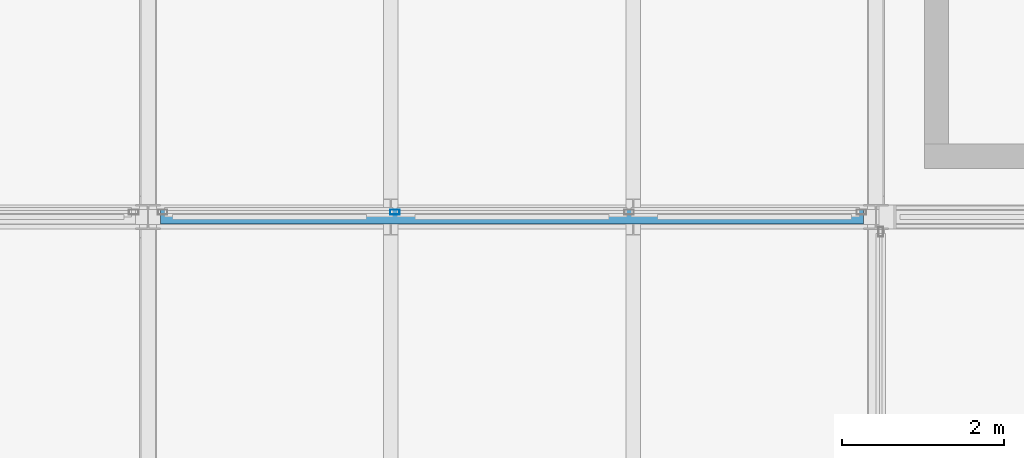
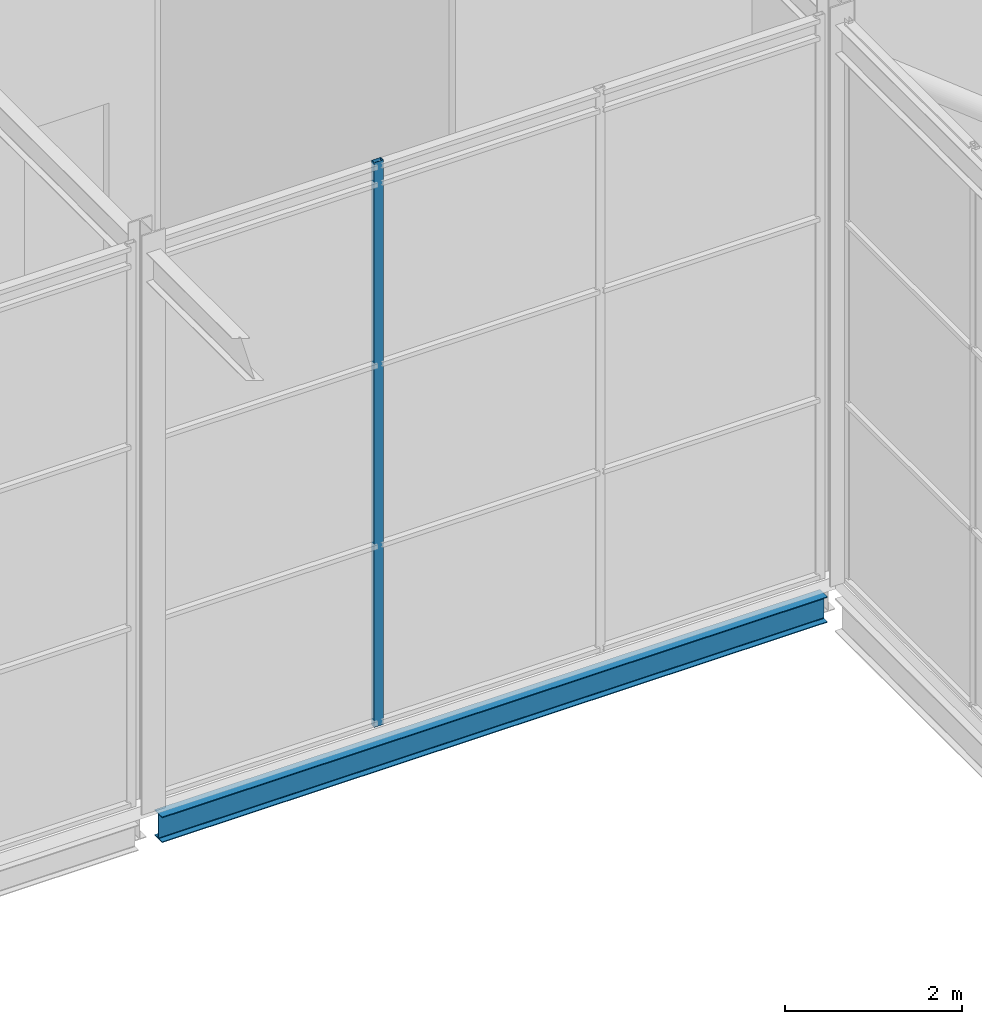
# One storey, part 88 of 144: 1 beam, 1 member, 1 element without a shape of its own.
"""IFC4 building model written with IfcOpenShell, lengths in metres."""

from ifc_helpers import new_model, si_unit, direction, frame, origin, origin_2d, place, context, subcontext, project, spatial, hollow_rectangle, i_section, extrude, material, layer, layer_set, material_profile, profile_set, type_object, element, aggregate, save


model = new_model("IFC4")

# Units and contexts
model_context = context("Model", 3, precision=1e-05, world=origin(), true_north=direction((0.0, 1.0)))
body_context = subcontext(model_context, "Body", "Model", "MODEL_VIEW")
ifc_project = project(units=[si_unit("LENGTHUNIT", "METRE"), si_unit("AREAUNIT", "SQUARE_METRE"), si_unit("VOLUMEUNIT", "CUBIC_METRE"), si_unit("PLANEANGLEUNIT", "RADIAN"), si_unit("MASSUNIT", "GRAM", prefix="KILO")], contexts=[model_context])

# Site, building, storey
site_placement = place(None, origin())
site = spatial("IfcSite", under=ifc_project, at=site_placement, CompositionType="ELEMENT")
building_placement = place(site_placement, origin())
building = spatial("IfcBuilding", under=site, at=building_placement, Name="Shorebreak Coast Museum", CompositionType="ELEMENT")
storey_placement = place(building_placement, frame((0.0, 0.0, 36.0)))
storey = spatial("IfcBuildingStorey", under=building, at=storey_placement, Name="L06", CompositionType="ELEMENT", Elevation=36.0)

# Beam
ifc_material_1 = material(Name="Steel Grade 300", Category="steel")
ifc_material_profile_1 = material_profile(ifc_material_1, i_section(OverallWidth=0.1708984375, OverallDepth=0.355712890625, WebThickness=0.00732421875, FlangeThickness=0.011474609375, FilletRadius=0.011474609375, at=origin_2d()), Name="360UB50.7")
ifc_profile_set_1 = profile_set([ifc_material_profile_1], Name="Steel Grade 300")
beam_type = type_object("IfcBeamType", Name="Floor girder east-west 360UB50.7", PredefinedType="BEAM", material=ifc_profile_set_1)
beam_placement = place(storey_placement, frame((99.153564453125, 81.0, -0.352783203125), z_axis=(1.0, 0.0, 0.0), x_axis=(0.0, 1.0, 0.0)))
element("IfcBeam", 1, at=beam_placement, inside=storey, type_object=beam_type, Name="Floor girder east-west L06 12K", PredefinedType="BEAM", context=body_context, shape_type="SweptSolid", body=[
    extrude(i_section(OverallWidth=0.1708984375, OverallDepth=0.355712890625, WebThickness=0.00732421875, FlangeThickness=0.011474609375, FilletRadius=0.011474609375, at=origin_2d()), origin(), (0.0, 0.0, 1.0), 8.69287109375),
])

# Curtain wall, member
ifc_material_2 = material(Name="Aluminium", Category="aluminium")
ifc_layer = layer(ifc_material_2, 0.1201171875)
ifc_layer_set = layer_set([ifc_layer], Name="Aluminium")
curtain_wall_type = type_object("IfcCurtainWallType", Name="Atrium fire screen", PredefinedType="NOTDEFINED", material=ifc_layer_set)
curtain_wall_placement = place(storey_placement, origin())
curtain_wall = element("IfcCurtainWall", 2, at=curtain_wall_placement, inside=storey, type_object=curtain_wall_type, Name="Atrium screen L06 N 88", PredefinedType="NOTDEFINED")
ifc_material_3 = material(Name="Aluminium", Category="aluminium")
ifc_material_profile_2 = material_profile(ifc_material_3, hollow_rectangle(XDim=0.06005859375, YDim=0.1201171875, WallThickness=0.00341796875, at=origin_2d()), Name="AL 120x60 RHS")
ifc_profile_set_2 = profile_set([ifc_material_profile_2], Name="Aluminium")
member_type = type_object("IfcMemberType", Name="Screen mullion 50 x 120", PredefinedType="MULLION", material=ifc_profile_set_2)
member_placement = place(storey_placement, frame((102.05126953125, 81.06005859375, 0.0), z_axis=(0.0, 0.0, 1.0), x_axis=(0.0, 1.0, 0.0)))
member = element("IfcMember", 3, at=member_placement, type_object=member_type, Name="CW5 mullion 2", PredefinedType="MULLION", context=body_context, shape_type="SweptSolid", body=[
    extrude(hollow_rectangle(XDim=0.06005859375, YDim=0.1201171875, WallThickness=0.00341796875, at=origin_2d()), origin(), (0.0, 0.0, 1.0), 7.800048828125),
])
aggregate(curtain_wall, [member])

save(model, "model.ifc")
